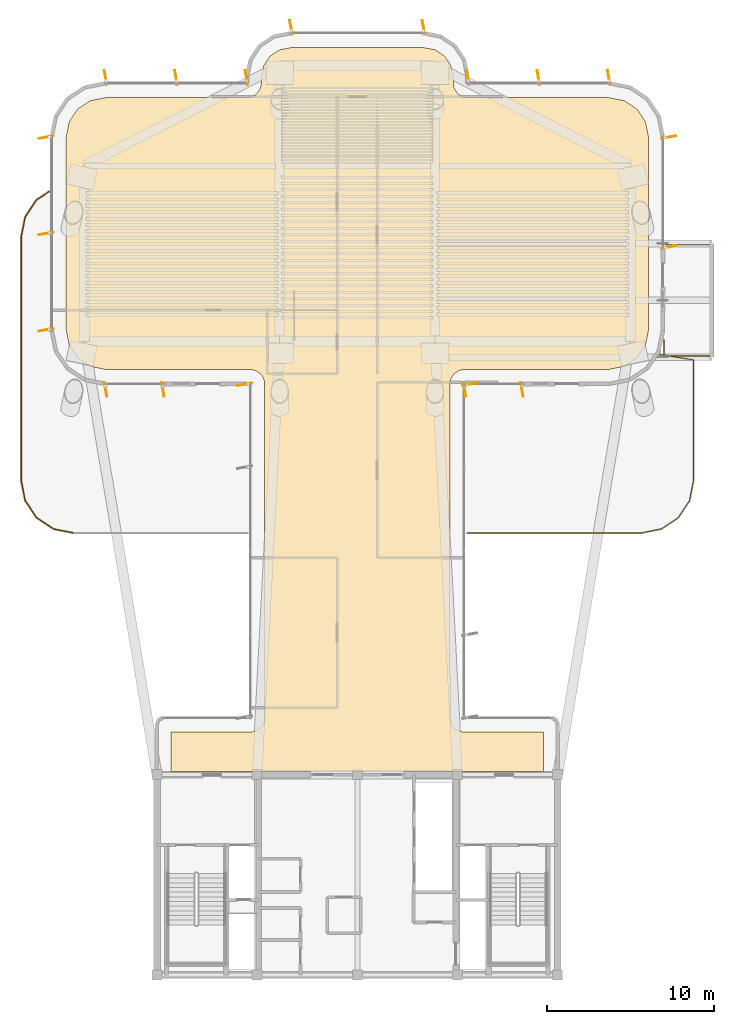
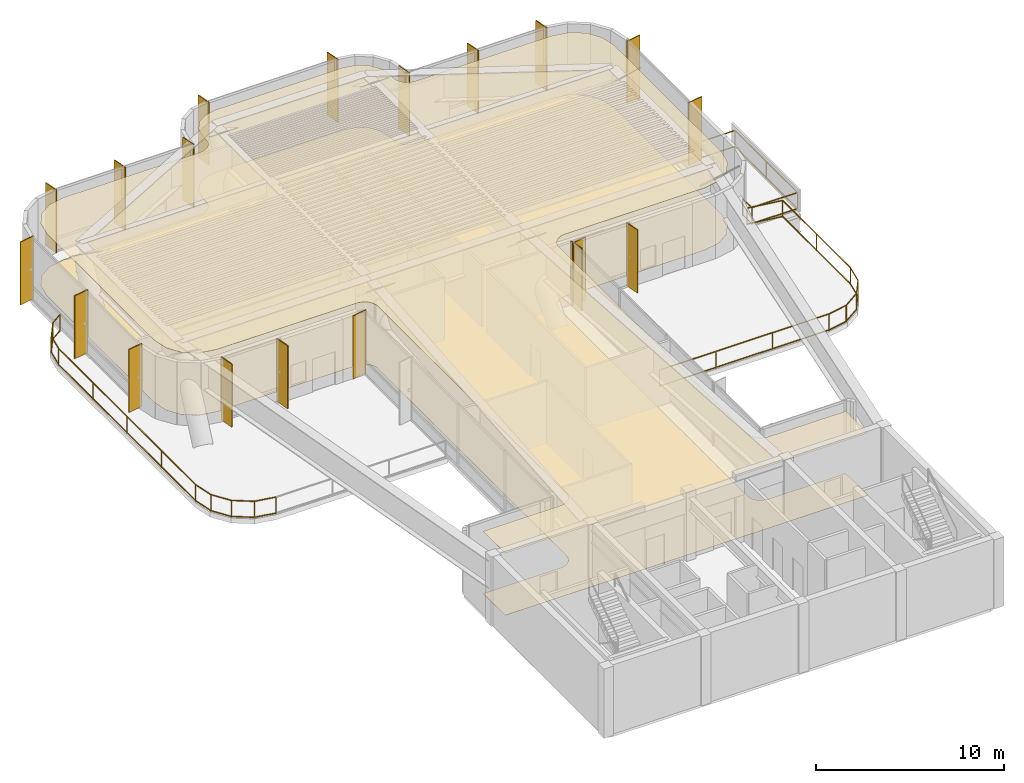
# One storey, part 16 of 16: 19 shading devices, 4 railings, 2 coverings.
"""IFC4 building model written with IfcOpenShell, lengths in metres."""

from ifc_helpers import new_model, si_unit, direction, frame, origin, origin_2d, place, context, subcontext, project, spatial, polyline, rectangle, outline, extrude, source, transform, mapped, material, layer, layer_set, material_profile, profile_set, type_object, element, save


model = new_model("IFC4")

# Units and contexts
model_context = context("Model", 3, precision=1e-05, world=origin(), true_north=direction((0.0, 1.0)))
body_context = subcontext(model_context, "Body", "Model", "MODEL_VIEW")
ifc_project = project(units=[si_unit("LENGTHUNIT", "METRE"), si_unit("AREAUNIT", "SQUARE_METRE"), si_unit("VOLUMEUNIT", "CUBIC_METRE"), si_unit("PLANEANGLEUNIT", "RADIAN"), si_unit("MASSUNIT", "GRAM", prefix="KILO")], contexts=[model_context])

# Site, building, storey
site_placement = place(None, origin())
site = spatial("IfcSite", under=ifc_project, at=site_placement, CompositionType="ELEMENT")
building_placement = place(site_placement, origin())
building = spatial("IfcBuilding", under=site, at=building_placement, Name="Brelvock Crest Care Tower", CompositionType="ELEMENT")
storey_placement = place(building_placement, frame((0.0, 0.0, 218.52001953125)))
storey = spatial("IfcBuildingStorey", under=building, at=storey_placement, Name="L55", CompositionType="ELEMENT", Elevation=218.52001953125)

# Coverings
ifc_material_1 = material(Name="Mineral Fibre Acoustic Ceiling Tile", Category="gypsum")
ifc_layer_1 = layer(ifc_material_1, 0.02490234375, Name="COV-CLG1")
ifc_layer_set_1 = layer_set([ifc_layer_1], Name="Mineral Fibre Acoustic Ceiling Tile")
covering_type_1 = type_object("IfcCoveringType", Name="COV-CLG1", PredefinedType="CEILING", material=ifc_layer_set_1)
covering_1_placement = place(storey_placement, frame((0.0, 0.0, 4.036865234375)))
element("IfcCovering", 1, at=covering_1_placement, inside=storey, type_object=covering_type_1, Name="L55 Acoustic Suspended Ceiling 1", PredefinedType="CEILING", context=body_context, shape_type="SweptSolid", body=[
    extrude(outline(polyline([(24.85009765625, 18.199951171875), (47.14990234375, 18.199951171875), (47.14990234375, 20.550048828125), (42.316650390625, 20.55419921875), (41.999267578125, 20.650390625), (41.799072265625, 20.799072265625), (41.650390625, 20.999267578125), (41.56640625, 21.234130859375), (41.55419921875, 41.4833984375), (41.61474609375, 41.725341796875), (41.799072265625, 42.0009765625), (42.07470703125, 42.185302734375), (42.316650390625, 42.245849609375), (51.016357421875, 42.25), (51.992919921875, 42.4443359375), (52.75, 42.9501953125), (53.255615234375, 43.70703125), (53.449951171875, 44.68359375), (53.449951171875, 56.1162109375), (53.255615234375, 57.093017578125), (52.75, 57.849853515625), (51.992919921875, 58.355712890625), (51.016357421875, 58.550048828125), (42.60009765625, 58.550048828125), (42.353271484375, 58.586669921875), (42.127685546875, 58.693359375), (41.9990234375, 58.799072265625), (41.814697265625, 59.07470703125), (41.754150390625, 59.316650390625), (41.75, 59.71630859375), (41.601318359375, 60.46337890625), (41.2255859375, 61.025634765625), (40.663330078125, 61.4013671875), (39.916259765625, 61.550048828125), (32.083740234375, 61.550048828125), (31.336669921875, 61.4013671875), (30.7744140625, 61.025634765625), (30.398681640625, 60.46337890625), (30.25, 59.71630859375), (30.245849609375, 59.316650390625), (30.185302734375, 59.07470703125), (30.0009765625, 58.799072265625), (29.872314453125, 58.693359375), (29.646728515625, 58.586669921875), (29.39990234375, 58.550048828125), (20.983642578125, 58.550048828125), (20.007080078125, 58.355712890625), (19.25, 57.849853515625), (18.744384765625, 57.093017578125), (18.550048828125, 56.1162109375), (18.550048828125, 44.68359375), (18.744384765625, 43.70703125), (19.25, 42.9501953125), (20.007080078125, 42.4443359375), (20.983642578125, 42.25), (29.683349609375, 42.245849609375), (29.92529296875, 42.185302734375), (30.200927734375, 42.0009765625), (30.349609375, 41.80078125), (30.43359375, 41.56591796875), (30.449951171875, 21.39990234375), (30.413330078125, 21.1533203125), (30.306640625, 20.927734375), (30.13916015625, 20.742919921875), (29.92529296875, 20.61474609375), (29.683349609375, 20.55419921875), (24.85009765625, 20.550048828125), (24.85009765625, 18.199951171875)])), origin(), (0.0, 0.0, 1.0), 0.025146484375),
])
ifc_material_2 = material(Name="Slip-Resistant Acoustic Vinyl Flooring", Category="finish")
ifc_layer_2 = layer(ifc_material_2, 0.014892578125, Name="COV-FLR1")
ifc_layer_set_2 = layer_set([ifc_layer_2], Name="Slip-Resistant Acoustic Vinyl Flooring")
covering_type_2 = type_object("IfcCoveringType", Name="COV-FLR1", PredefinedType="FLOORING", material=ifc_layer_set_2)
covering_2_placement = place(storey_placement, origin())
element("IfcCovering", 2, at=covering_2_placement, inside=storey, type_object=covering_type_2, Name="L55 Slip-Resistant Acoustic Flooring 1", PredefinedType="FLOORING", context=body_context, shape_type="SweptSolid", body=[
    extrude(outline(polyline([(24.85009765625, 18.199951171875), (47.14990234375, 18.199951171875), (47.14990234375, 20.550048828125), (42.316650390625, 20.55419921875), (41.999267578125, 20.650390625), (41.799072265625, 20.799072265625), (41.650390625, 20.999267578125), (41.56640625, 21.234130859375), (41.55419921875, 41.4833984375), (41.61474609375, 41.725341796875), (41.799072265625, 42.0009765625), (42.07470703125, 42.185302734375), (42.316650390625, 42.245849609375), (51.016357421875, 42.25), (51.992919921875, 42.4443359375), (52.75, 42.9501953125), (53.255615234375, 43.70703125), (53.449951171875, 44.68359375), (53.449951171875, 56.1162109375), (53.255615234375, 57.093017578125), (52.75, 57.849853515625), (51.992919921875, 58.355712890625), (51.016357421875, 58.550048828125), (42.60009765625, 58.550048828125), (42.353271484375, 58.586669921875), (42.127685546875, 58.693359375), (41.9990234375, 58.799072265625), (41.814697265625, 59.07470703125), (41.754150390625, 59.316650390625), (41.75, 59.71630859375), (41.601318359375, 60.46337890625), (41.2255859375, 61.025634765625), (40.663330078125, 61.4013671875), (39.916259765625, 61.550048828125), (32.083740234375, 61.550048828125), (31.336669921875, 61.4013671875), (30.7744140625, 61.025634765625), (30.398681640625, 60.46337890625), (30.25, 59.71630859375), (30.245849609375, 59.316650390625), (30.185302734375, 59.07470703125), (30.0009765625, 58.799072265625), (29.872314453125, 58.693359375), (29.646728515625, 58.586669921875), (29.39990234375, 58.550048828125), (20.983642578125, 58.550048828125), (20.007080078125, 58.355712890625), (19.25, 57.849853515625), (18.744384765625, 57.093017578125), (18.550048828125, 56.1162109375), (18.550048828125, 44.68359375), (18.744384765625, 43.70703125), (19.25, 42.9501953125), (20.007080078125, 42.4443359375), (20.983642578125, 42.25), (29.683349609375, 42.245849609375), (29.92529296875, 42.185302734375), (30.200927734375, 42.0009765625), (30.349609375, 41.80078125), (30.43359375, 41.56591796875), (30.449951171875, 21.39990234375), (30.413330078125, 21.1533203125), (30.306640625, 20.927734375), (30.13916015625, 20.742919921875), (29.92529296875, 20.61474609375), (29.683349609375, 20.55419921875), (24.85009765625, 20.550048828125), (24.85009765625, 18.199951171875)])), origin(), (0.0, 0.0, 1.0), 0.014892578125),
])

# Railings
ifc_material_3 = material(Name="Dark Glass Double Glazed Low-E", Category="glass")
ifc_layer_3 = layer(ifc_material_3, 0.06005859375, Name="RL-BAL1")
ifc_layer_set_3 = layer_set([ifc_layer_3], Name="Dark Glass Double Glazed Low-E")
railing_type = type_object("IfcRailingType", Name="RL-BAL1", PredefinedType="BALUSTRADE", material=ifc_layer_set_3)
railing_1_placement = place(storey_placement, frame((54.1298828125, 43.16162109375, 0.00390625)))
element("IfcRailing", 3, at=railing_1_placement, inside=storey, type_object=railing_type, Name="L55 Safety Balustrade SLB-TERR-L55-1-1", PredefinedType="BALUSTRADE", context=body_context, shape_type="SweptSolid", body=[
    extrude(rectangle(XDim=0.048095703125, YDim=0.048095703125, at=origin_2d()), frame((0.001953125, -0.000244140625, 1.09619140625), z_axis=(0.986536759883, -0.163539663076, 0.0), x_axis=(0.163539663076, 0.986536759883, 0.0)), (0.0, 0.0, 1.0), 2.023193359375),
    extrude(rectangle(XDim=0.048095703125, YDim=0.048095703125, at=origin_2d()), frame((0.001953125, -0.000244140625, 0.054931640625), z_axis=(0.986536759883, -0.163539663076, 0.0), x_axis=(0.163539663076, 0.986536759883, 0.0)), (0.0, 0.0, 1.0), 2.023193359375),
    extrude(rectangle(XDim=0.048095703125, YDim=0.048095703125, at=origin_2d()), frame((2.0, -0.33349609375, 1.09619140625), z_axis=(0.0, -1.0, 0.0), x_axis=(1.0, 0.0, 0.0)), (0.0, 0.0, 1.0), 7.21923828125),
    extrude(rectangle(XDim=0.048095703125, YDim=0.048095703125, at=origin_2d()), frame((2.0, -0.33349609375, 0.054931640625), z_axis=(0.0, -1.0, 0.0), x_axis=(1.0, 0.0, 0.0)), (0.0, 0.0, 1.0), 7.21923828125),
    extrude(rectangle(XDim=0.048095703125, YDim=0.048095703125, at=origin_2d()), frame((1.99951171875, -7.556640625, 1.09619140625), z_axis=(-0.195045432487, -0.980794208418, 0.0), x_axis=(0.980794208418, -0.195045432487, 0.0)), (0.0, 0.0, 1.0), 1.223876953125),
    extrude(rectangle(XDim=0.048095703125, YDim=0.048095703125, at=origin_2d()), frame((1.99951171875, -7.556640625, 0.054931640625), z_axis=(-0.195045432487, -0.980794208418, 0.0), x_axis=(0.980794208418, -0.195045432487, 0.0)), (0.0, 0.0, 1.0), 1.223876953125),
    extrude(rectangle(XDim=0.048095703125, YDim=0.048095703125, at=origin_2d()), frame((1.75927734375, -8.7607421875, 1.09619140625), z_axis=(-0.555622969928, -0.831434372207, 0.0), x_axis=(0.831434372207, -0.555622969928, 0.0)), (0.0, 0.0, 1.0), 1.216552734375),
    extrude(rectangle(XDim=0.048095703125, YDim=0.048095703125, at=origin_2d()), frame((1.75927734375, -8.7607421875, 0.054931640625), z_axis=(-0.555622969928, -0.831434372207, 0.0), x_axis=(0.831434372207, -0.555622969928, 0.0)), (0.0, 0.0, 1.0), 1.216552734375),
    extrude(rectangle(XDim=0.048095703125, YDim=0.048095703125, at=origin_2d()), frame((1.08056640625, -9.775146484375, 1.09619140625), z_axis=(-0.831434372207, -0.555622969928, 0.0), x_axis=(0.555622969928, -0.831434372207, 0.0)), (0.0, 0.0, 1.0), 1.216552734375),
    extrude(rectangle(XDim=0.048095703125, YDim=0.048095703125, at=origin_2d()), frame((1.08056640625, -9.775146484375, 0.054931640625), z_axis=(-0.831434372207, -0.555622969928, 0.0), x_axis=(0.555622969928, -0.831434372207, 0.0)), (0.0, 0.0, 1.0), 1.216552734375),
    extrude(rectangle(XDim=0.048095703125, YDim=0.048095703125, at=origin_2d()), frame((0.0654296875, -10.45263671875, 1.09619140625), z_axis=(-0.980786642434, -0.195083474499, 0.0), x_axis=(0.195083474499, -0.980786642434, 0.0)), (0.0, 0.0, 1.0), 1.2236328125),
    extrude(rectangle(XDim=0.048095703125, YDim=0.048095703125, at=origin_2d()), frame((0.0654296875, -10.45263671875, 0.054931640625), z_axis=(-0.980786642434, -0.195083474499, 0.0), x_axis=(0.195083474499, -0.980786642434, 0.0)), (0.0, 0.0, 1.0), 1.2236328125),
    extrude(rectangle(XDim=0.048095703125, YDim=0.048095703125, at=origin_2d()), frame((-1.138671875, -10.691650390625, 1.09619140625), z_axis=(-1.0, 0.0, 0.0), x_axis=(0.0, -1.0, 0.0)), (0.0, 0.0, 1.0), 10.4091796875),
    extrude(rectangle(XDim=0.048095703125, YDim=0.048095703125, at=origin_2d()), frame((-1.138671875, -10.691650390625, 0.054931640625), z_axis=(-1.0, 0.0, 0.0), x_axis=(0.0, -1.0, 0.0)), (0.0, 0.0, 1.0), 10.4091796875),
    extrude(rectangle(XDim=0.0419921875, YDim=0.0419921875, at=origin_2d()), origin(), (0.0, 0.0, 1.0), 1.070068359375),
    extrude(rectangle(XDim=0.0419921875, YDim=0.0419921875, at=origin_2d()), frame((2.0, -0.33154296875, 0.0)), (0.0, 0.0, 1.0), 1.070068359375),
    extrude(rectangle(XDim=0.0419921875, YDim=0.0419921875, at=origin_2d()), frame((2.0, -3.943115234375, 0.0)), (0.0, 0.0, 1.0), 1.070068359375),
    extrude(rectangle(XDim=0.0419921875, YDim=0.0419921875, at=origin_2d()), frame((2.0, -7.5546875, 0.0)), (0.0, 0.0, 1.0), 1.070068359375),
    extrude(rectangle(XDim=0.0419921875, YDim=0.0419921875, at=origin_2d()), frame((1.760498046875, -8.759033203125, 0.0)), (0.0, 0.0, 1.0), 1.070068359375),
    extrude(rectangle(XDim=0.0419921875, YDim=0.0419921875, at=origin_2d()), frame((1.082275390625, -9.77392578125, 0.0)), (0.0, 0.0, 1.0), 1.070068359375),
    extrude(rectangle(XDim=0.0419921875, YDim=0.0419921875, at=origin_2d()), frame((0.0673828125, -10.4521484375, 0.0)), (0.0, 0.0, 1.0), 1.070068359375),
    extrude(rectangle(XDim=0.0419921875, YDim=0.0419921875, at=origin_2d()), frame((-1.13671875, -10.691650390625, 0.0)), (0.0, 0.0, 1.0), 1.070068359375),
    extrude(rectangle(XDim=0.0419921875, YDim=0.0419921875, at=origin_2d()), frame((-4.607666015625, -10.691650390625, 0.0)), (0.0, 0.0, 1.0), 1.070068359375),
    extrude(rectangle(XDim=0.0419921875, YDim=0.0419921875, at=origin_2d()), frame((-8.078857421875, -10.691650390625, 0.0)), (0.0, 0.0, 1.0), 1.070068359375),
    extrude(rectangle(XDim=0.0419921875, YDim=0.0419921875, at=origin_2d()), frame((-11.5498046875, -10.691650390625, 0.0)), (0.0, 0.0, 1.0), 1.070068359375),
])
railing_2_placement = place(storey_placement, frame((19.0068359375, 32.469970703125, 0.00390625)))
element("IfcRailing", 4, at=railing_2_placement, inside=storey, type_object=railing_type, Name="L55 Safety Balustrade SLB-TERR-L55-2-1", PredefinedType="BALUSTRADE", context=body_context, shape_type="SweptSolid", body=[
    extrude(rectangle(XDim=0.048095703125, YDim=0.048095703125, at=origin_2d()), frame((-0.001953125, 0.00048828125, 1.09619140625), z_axis=(-0.980786642434, 0.195083474499, 0.0), x_axis=(-0.195083474499, -0.980786642434, 0.0)), (0.0, 0.0, 1.0), 1.2236328125),
    extrude(rectangle(XDim=0.048095703125, YDim=0.048095703125, at=origin_2d()), frame((-0.001953125, 0.00048828125, 0.054931640625), z_axis=(-0.980786642434, 0.195083474499, 0.0), x_axis=(-0.195083474499, -0.980786642434, 0.0)), (0.0, 0.0, 1.0), 1.2236328125),
    extrude(rectangle(XDim=0.048095703125, YDim=0.048095703125, at=origin_2d()), frame((-1.205810546875, 0.24072265625, 1.09619140625), z_axis=(-0.831434372207, 0.555622969928, 0.0), x_axis=(-0.555622969928, -0.831434372207, 0.0)), (0.0, 0.0, 1.0), 1.216552734375),
    extrude(rectangle(XDim=0.048095703125, YDim=0.048095703125, at=origin_2d()), frame((-1.205810546875, 0.24072265625, 0.054931640625), z_axis=(-0.831434372207, 0.555622969928, 0.0), x_axis=(-0.555622969928, -0.831434372207, 0.0)), (0.0, 0.0, 1.0), 1.216552734375),
    extrude(rectangle(XDim=0.048095703125, YDim=0.048095703125, at=origin_2d()), frame((-2.22021484375, 0.91943359375, 1.09619140625), z_axis=(-0.555622969928, 0.831434372207, 0.0), x_axis=(-0.831434372207, -0.555622969928, 0.0)), (0.0, 0.0, 1.0), 1.216552734375),
    extrude(rectangle(XDim=0.048095703125, YDim=0.048095703125, at=origin_2d()), frame((-2.22021484375, 0.91943359375, 0.054931640625), z_axis=(-0.555622969928, 0.831434372207, 0.0), x_axis=(-0.831434372207, -0.555622969928, 0.0)), (0.0, 0.0, 1.0), 1.216552734375),
    extrude(rectangle(XDim=0.048095703125, YDim=0.048095703125, at=origin_2d()), frame((-2.897705078125, 1.9345703125, 1.09619140625), z_axis=(-0.195045432487, 0.980794208418, 0.0), x_axis=(-0.980794208418, -0.195045432487, 0.0)), (0.0, 0.0, 1.0), 1.223876953125),
    extrude(rectangle(XDim=0.048095703125, YDim=0.048095703125, at=origin_2d()), frame((-2.897705078125, 1.9345703125, 0.054931640625), z_axis=(-0.195045432487, 0.980794208418, 0.0), x_axis=(-0.980794208418, -0.195045432487, 0.0)), (0.0, 0.0, 1.0), 1.223876953125),
    extrude(rectangle(XDim=0.048095703125, YDim=0.048095703125, at=origin_2d()), frame((-3.13671875, 3.138916015625, 1.09619140625), z_axis=(0.0, 1.0, 0.0), x_axis=(-1.0, 0.0, 0.0)), (0.0, 0.0, 1.0), 14.582275390625),
    extrude(rectangle(XDim=0.048095703125, YDim=0.048095703125, at=origin_2d()), frame((-3.13671875, 3.138916015625, 0.054931640625), z_axis=(0.0, 1.0, 0.0), x_axis=(-1.0, 0.0, 0.0)), (0.0, 0.0, 1.0), 14.582275390625),
    extrude(rectangle(XDim=0.048095703125, YDim=0.048095703125, at=origin_2d()), frame((-3.13623046875, 17.72509765625, 1.09619140625), z_axis=(0.195083474499, 0.980786642434, 0.0), x_axis=(-0.980786642434, 0.195083474499, 0.0)), (0.0, 0.0, 1.0), 1.2236328125),
    extrude(rectangle(XDim=0.048095703125, YDim=0.048095703125, at=origin_2d()), frame((-3.13623046875, 17.72509765625, 0.054931640625), z_axis=(0.195083474499, 0.980786642434, 0.0), x_axis=(-0.980786642434, 0.195083474499, 0.0)), (0.0, 0.0, 1.0), 1.2236328125),
    extrude(rectangle(XDim=0.048095703125, YDim=0.048095703125, at=origin_2d()), frame((-2.89599609375, 18.928955078125, 1.09619140625), z_axis=(0.555622969928, 0.831434372207, 0.0), x_axis=(-0.831434372207, 0.555622969928, 0.0)), (0.0, 0.0, 1.0), 1.216552734375),
    extrude(rectangle(XDim=0.048095703125, YDim=0.048095703125, at=origin_2d()), frame((-2.89599609375, 18.928955078125, 0.054931640625), z_axis=(0.555622969928, 0.831434372207, 0.0), x_axis=(-0.831434372207, 0.555622969928, 0.0)), (0.0, 0.0, 1.0), 1.216552734375),
    extrude(rectangle(XDim=0.048095703125, YDim=0.048095703125, at=origin_2d()), frame((-2.21728515625, 19.943359375, 1.09619140625), z_axis=(0.831324597494, 0.555787201726, 0.0), x_axis=(-0.555787201726, 0.831324597494, 0.0)), (0.0, 0.0, 1.0), 0.876708984375),
    extrude(rectangle(XDim=0.048095703125, YDim=0.048095703125, at=origin_2d()), frame((-2.21728515625, 19.943359375, 0.054931640625), z_axis=(0.831324597494, 0.555787201726, 0.0), x_axis=(-0.555787201726, 0.831324597494, 0.0)), (0.0, 0.0, 1.0), 0.876708984375),
    extrude(rectangle(XDim=0.0419921875, YDim=0.0419921875, at=origin_2d()), origin(), (0.0, 0.0, 1.0), 1.070068359375),
    extrude(rectangle(XDim=0.0419921875, YDim=0.0419921875, at=origin_2d()), frame((-1.2041015625, 0.239501953125, 0.0)), (0.0, 0.0, 1.0), 1.070068359375),
    extrude(rectangle(XDim=0.0419921875, YDim=0.0419921875, at=origin_2d()), frame((-2.218994140625, 0.917724609375, 0.0)), (0.0, 0.0, 1.0), 1.070068359375),
    extrude(rectangle(XDim=0.0419921875, YDim=0.0419921875, at=origin_2d()), frame((-2.897216796875, 1.9326171875, 0.0)), (0.0, 0.0, 1.0), 1.070068359375),
    extrude(rectangle(XDim=0.0419921875, YDim=0.0419921875, at=origin_2d()), frame((-3.13671875, 3.136962890625, 0.0)), (0.0, 0.0, 1.0), 1.070068359375),
    extrude(rectangle(XDim=0.0419921875, YDim=0.0419921875, at=origin_2d()), frame((-3.13671875, 6.783447265625, 0.0)), (0.0, 0.0, 1.0), 1.070068359375),
    extrude(rectangle(XDim=0.0419921875, YDim=0.0419921875, at=origin_2d()), frame((-3.13671875, 10.43017578125, 0.0)), (0.0, 0.0, 1.0), 1.070068359375),
    extrude(rectangle(XDim=0.0419921875, YDim=0.0419921875, at=origin_2d()), frame((-3.13671875, 14.07666015625, 0.0)), (0.0, 0.0, 1.0), 1.070068359375),
    extrude(rectangle(XDim=0.0419921875, YDim=0.0419921875, at=origin_2d()), frame((-3.13671875, 17.72314453125, 0.0)), (0.0, 0.0, 1.0), 1.070068359375),
    extrude(rectangle(XDim=0.0419921875, YDim=0.0419921875, at=origin_2d()), frame((-2.897216796875, 18.92724609375, 0.0)), (0.0, 0.0, 1.0), 1.070068359375),
    extrude(rectangle(XDim=0.0419921875, YDim=0.0419921875, at=origin_2d()), frame((-2.218994140625, 19.942138671875, 0.0)), (0.0, 0.0, 1.0), 1.070068359375),
    extrude(rectangle(XDim=0.0419921875, YDim=0.0419921875, at=origin_2d()), frame((-1.48681640625, 20.431640625, 0.0)), (0.0, 0.0, 1.0), 1.070068359375),
])
railing_3_placement = place(storey_placement, frame((54.3701171875, 43.070068359375, 0.00390625)))
element("IfcRailing", 5, at=railing_3_placement, inside=storey, type_object=railing_type, Name="L55 Safety Balustrade SLB-SKYPOOL-L55-1", PredefinedType="BALUSTRADE", context=body_context, shape_type="SweptSolid", body=[
    extrude(rectangle(XDim=0.048095703125, YDim=0.048095703125, at=origin_2d()), frame((0.0, 0.001953125, 1.09619140625), z_axis=(0.0, 1.0, 0.0), x_axis=(-1.0, 0.0, 0.0)), (0.0, 0.0, 1.0), 0.955322265625),
    extrude(rectangle(XDim=0.048095703125, YDim=0.048095703125, at=origin_2d()), frame((0.0, 0.001953125, 0.054931640625), z_axis=(0.0, 1.0, 0.0), x_axis=(-1.0, 0.0, 0.0)), (0.0, 0.0, 1.0), 0.955322265625),
    extrude(rectangle(XDim=0.0419921875, YDim=0.0419921875, at=origin_2d()), origin(), (0.0, 0.0, 1.0), 1.070068359375),
    extrude(rectangle(XDim=0.0419921875, YDim=0.0419921875, at=origin_2d()), frame((0.0, 0.959228515625, 0.0)), (0.0, 0.0, 1.0), 1.070068359375),
])
railing_4_placement = place(storey_placement, frame((54.47998046875, 49.72998046875, 0.00390625)))
element("IfcRailing", 6, at=railing_4_placement, inside=storey, type_object=railing_type, Name="L55 Safety Balustrade SLB-SKYPOOL-L55-2", PredefinedType="BALUSTRADE", context=body_context, shape_type="SweptSolid", body=[
    extrude(rectangle(XDim=0.048095703125, YDim=0.048095703125, at=origin_2d()), frame((0.001953125, 0.0, 1.09619140625), z_axis=(1.0, 0.0, 0.0), x_axis=(0.0, 1.0, 0.0)), (0.0, 0.0, 1.0), 2.696044921875),
    extrude(rectangle(XDim=0.048095703125, YDim=0.048095703125, at=origin_2d()), frame((0.001953125, 0.0, 0.054931640625), z_axis=(1.0, 0.0, 0.0), x_axis=(0.0, 1.0, 0.0)), (0.0, 0.0, 1.0), 2.696044921875),
    extrude(rectangle(XDim=0.048095703125, YDim=0.048095703125, at=origin_2d()), frame((2.699951171875, -0.001953125, 1.09619140625), z_axis=(0.0, -1.0, 0.0), x_axis=(1.0, 0.0, 0.0)), (0.0, 0.0, 1.0), 6.656005859375),
    extrude(rectangle(XDim=0.048095703125, YDim=0.048095703125, at=origin_2d()), frame((2.699951171875, -0.001953125, 0.054931640625), z_axis=(0.0, -1.0, 0.0), x_axis=(1.0, 0.0, 0.0)), (0.0, 0.0, 1.0), 6.656005859375),
    extrude(rectangle(XDim=0.048095703125, YDim=0.048095703125, at=origin_2d()), frame((2.697998046875, -6.659912109375, 1.09619140625), z_axis=(-1.0, 0.0, 0.0), x_axis=(0.0, -1.0, 0.0)), (0.0, 0.0, 1.0), 2.805908203125),
    extrude(rectangle(XDim=0.048095703125, YDim=0.048095703125, at=origin_2d()), frame((2.697998046875, -6.659912109375, 0.054931640625), z_axis=(-1.0, 0.0, 0.0), x_axis=(0.0, -1.0, 0.0)), (0.0, 0.0, 1.0), 2.805908203125),
    extrude(rectangle(XDim=0.0419921875, YDim=0.0419921875, at=origin_2d()), origin(), (0.0, 0.0, 1.0), 1.070068359375),
    extrude(rectangle(XDim=0.0419921875, YDim=0.0419921875, at=origin_2d()), frame((2.699951171875, 0.0, 0.0)), (0.0, 0.0, 1.0), 1.070068359375),
    extrude(rectangle(XDim=0.0419921875, YDim=0.0419921875, at=origin_2d()), frame((2.699951171875, -3.330078125, 0.0)), (0.0, 0.0, 1.0), 1.070068359375),
    extrude(rectangle(XDim=0.0419921875, YDim=0.0419921875, at=origin_2d()), frame((2.699951171875, -6.659912109375, 0.0)), (0.0, 0.0, 1.0), 1.070068359375),
    extrude(rectangle(XDim=0.0419921875, YDim=0.0419921875, at=origin_2d()), frame((-0.10986328125, -6.659912109375, 0.0)), (0.0, 0.0, 1.0), 1.070068359375),
])

# Shading devices
ifc_material_4 = material(Name="Aluminium 6063-T6", Category="aluminium")
ifc_material_profile = material_profile(ifc_material_4, rectangle(XDim=0.054931640625, YDim=0.89990234375, at=origin_2d()), Name="FIN55x900")
ifc_profile_set = profile_set([ifc_material_profile], Name="Aluminium 6063-T6")
shading_device_type = type_object("IfcShadingDeviceType", Name="SHD-FIN1", PredefinedType="USERDEFINED", material=ifc_profile_set)
shared_shape = source(origin(), body_context, "Body", "SweptSolid", [
    extrude(rectangle(XDim=0.054931640625, YDim=0.89990234375, at=origin_2d()), origin(), (0.0, 0.0, 1.0), 4.092041015625),
])
for number, where, z_axis, x_axis, name in (
    (7, (29.260009765625, 41.367431640625, 0.0), (0.0, 0.0, 1.0), (-0.173648177667, 0.984807753012, 0.0), "L55 Vertical Sunshade Fin E11-05"),
    (8, (24.361572265625, 41.06005859375, 0.0), (0.0, 0.0, 1.0), (-0.984807753012, -0.173648177667, 0.0), "L55 Vertical Sunshade Fin E12B-01"),
    (9, (20.9326171875, 41.06005859375, 0.0), (0.0, 0.0, 1.0), (-0.984807753012, -0.173648177667, 0.0), "L55 Vertical Sunshade Fin E12B-02"),
    (10, (17.360107421875, 44.632568359375, 0.0), (0.0, 0.0, 1.0), (-0.173648177667, 0.984807753012, 0.0), "L55 Vertical Sunshade Fin E17-01"),
    (11, (17.360107421875, 50.39990234375, 0.0), (0.0, 0.0, 1.0), (-0.173648177667, 0.984807753012, 0.0), "L55 Vertical Sunshade Fin E17-02"),
    (12, (17.360107421875, 56.16748046875, 0.0), (0.0, 0.0, 1.0), (-0.173648177667, 0.984807753012, 0.0), "L55 Vertical Sunshade Fin E17-03"),
    (13, (20.9326171875, 59.739990234375, 0.0), (0.0, 0.0, 1.0), (0.984807753012, 0.173648177667, 0.0), "L55 Vertical Sunshade Fin E22-01"),
    (14, (25.14990234375, 59.739990234375, 0.0), (0.0, 0.0, 1.0), (0.984807753012, 0.173648177667, 0.0), "L55 Vertical Sunshade Fin E22-02"),
    (15, (29.367431640625, 59.739990234375, 0.0), (0.0, 0.0, 1.0), (0.984807753012, 0.173648177667, 0.0), "L55 Vertical Sunshade Fin E22-03"),
    (16, (32.032470703125, 62.739990234375, 0.0), (0.0, 0.0, 1.0), (0.984807753012, 0.173648177667, 0.0), "L55 Vertical Sunshade Fin E28-01"),
    (17, (39.967529296875, 62.739990234375, 0.0), (0.0, 0.0, 1.0), (0.984807753012, 0.173648177667, 0.0), "L55 Vertical Sunshade Fin E28-02"),
    (18, (42.632568359375, 59.739990234375, 0.0), (0.0, 0.0, 1.0), (0.984807753012, 0.173648177667, 0.0), "L55 Vertical Sunshade Fin E34-01"),
    (19, (46.85009765625, 59.739990234375, 0.0), (0.0, 0.0, 1.0), (0.984807753012, 0.173648177667, 0.0), "L55 Vertical Sunshade Fin E34-02"),
    (20, (51.0673828125, 59.739990234375, 0.0), (0.0, 0.0, 1.0), (0.984807753012, 0.173648177667, 0.0), "L55 Vertical Sunshade Fin E34-03"),
    (21, (54.639892578125, 56.16748046875, 0.0), (0.0, 0.0, 1.0), (0.173648177667, -0.984807753012, 0.0), "L55 Vertical Sunshade Fin E39A-01"),
    (22, (54.639892578125, 49.58251953125, 0.0), (0.0, 0.0, 1.0), (0.173648177667, -0.984807753012, 0.0), "L55 Vertical Sunshade Fin E39A-02"),
    (23, (45.861572265625, 41.06005859375, 0.0), (0.0, 0.0, 1.0), (-0.984807753012, -0.173648177667, 0.0), "L55 Vertical Sunshade Fin E44B-01"),
    (24, (42.4326171875, 41.06005859375, 0.0), (0.0, 0.0, 1.0), (-0.984807753012, -0.173648177667, 0.0), "L55 Vertical Sunshade Fin E44B-02"),
    (25, (42.739990234375, 41.367431640625, 0.0), (0.0, 0.0, 1.0), (0.173648177667, -0.984807753012, 0.0), "L55 Vertical Sunshade Fin E45-01"),
):
    element("IfcShadingDevice", number, at=place(storey_placement, frame(where, z_axis=z_axis, x_axis=x_axis)), inside=storey, type_object=shading_device_type, Name=name, ObjectType="FIN", PredefinedType="USERDEFINED", context=body_context, shape_type="MappedRepresentation", body=[
        mapped(shared_shape, transform((0.0, 0.0, 0.0), x_axis=(1.0, 0.0, 0.0), y_axis=(0.0, 1.0, 0.0), z_axis=(0.0, 0.0, 1.0), scale=1.0)),
    ])

save(model, "model.ifc")
